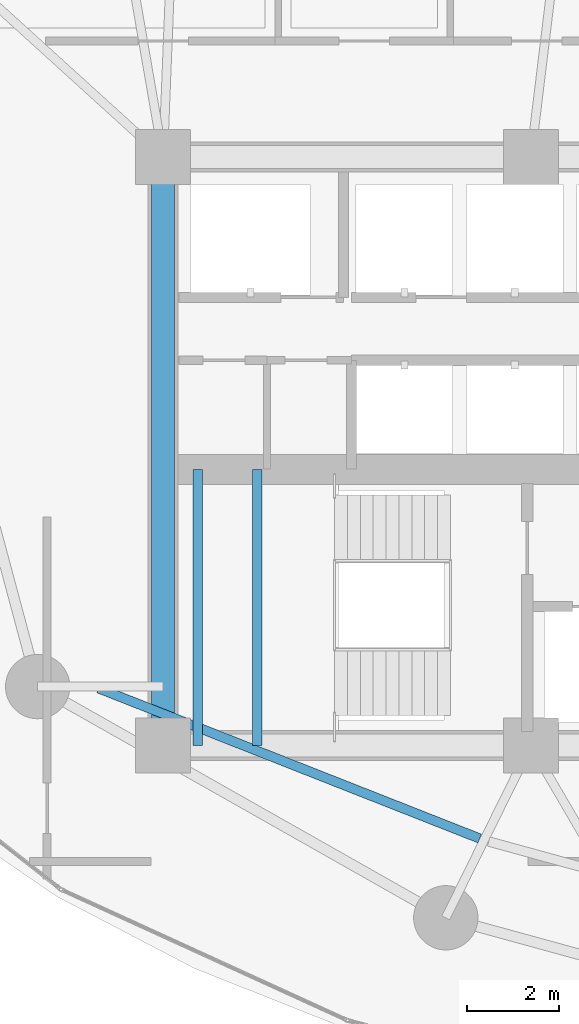
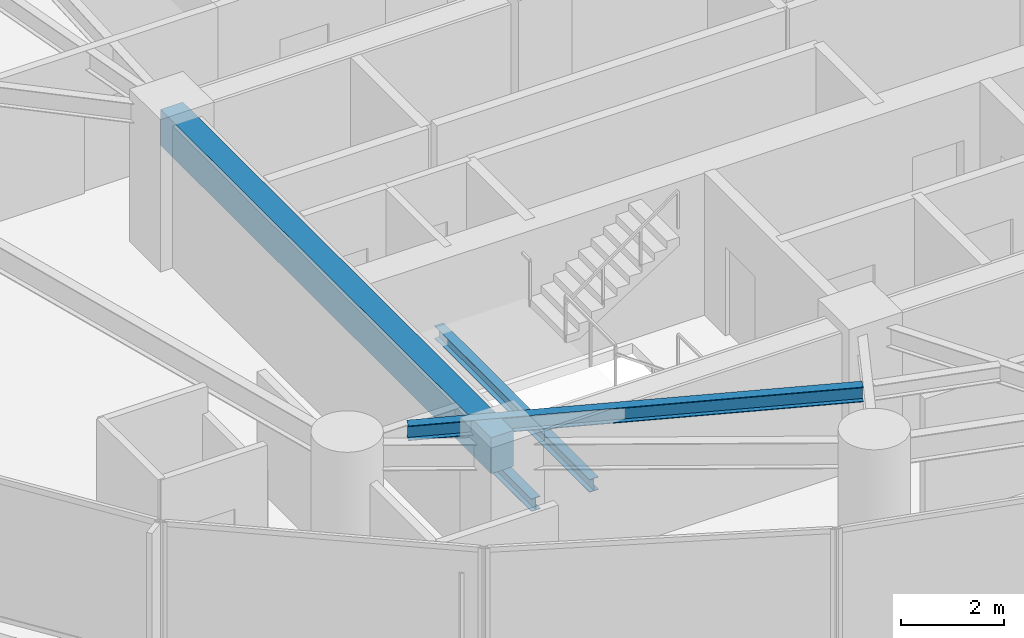
# One storey, part 4 of 32: 4 beams.
"""IFC4 building model written with IfcOpenShell, lengths in metres."""

from ifc_helpers import new_model, si_unit, direction, frame, origin, origin_2d, place, context, subcontext, project, spatial, rectangle, i_section, extrude, material, material_profile, profile_set, type_object, element, save


model = new_model("IFC4")

# Units and contexts
model_context = context("Model", 3, precision=1e-05, world=origin(), true_north=direction((0.0, 1.0)))
body_context = subcontext(model_context, "Body", "Model", "MODEL_VIEW")
ifc_project = project(units=[si_unit("LENGTHUNIT", "METRE"), si_unit("AREAUNIT", "SQUARE_METRE"), si_unit("VOLUMEUNIT", "CUBIC_METRE"), si_unit("PLANEANGLEUNIT", "RADIAN"), si_unit("MASSUNIT", "GRAM", prefix="KILO")], contexts=[model_context])

# Site, building, storey
site_placement = place(None, origin())
site = spatial("IfcSite", under=ifc_project, at=site_placement, CompositionType="ELEMENT")
building_placement = place(site_placement, origin())
building = spatial("IfcBuilding", under=site, at=building_placement, Name="Kazevale Care Tower and Concert Hall", CompositionType="ELEMENT")
storey_placement = place(building_placement, frame((0.0, 0.0, 38.39990234375)))
storey = spatial("IfcBuildingStorey", under=building, at=storey_placement, Name="L09", CompositionType="ELEMENT", Elevation=38.39990234375)

# Beams
ifc_material_1 = material(Name="Concrete C60", Category="concrete")
ifc_material_profile_1 = material_profile(ifc_material_1, rectangle(XDim=0.5, YDim=0.85009765625, at=origin_2d()), Name="RC-B500x850")
ifc_profile_set_1 = profile_set([ifc_material_profile_1], Name="Concrete C60")
beam_type_1 = type_object("IfcBeamType", Name="Core Coupling Beam RC500x850", PredefinedType="LINTEL", material=ifc_profile_set_1)
beam_1_placement = place(storey_placement, frame((22.0, 36.39990234375, 2.93505859375), z_axis=(0.0, -1.0, 0.0), x_axis=(1.0, 0.0, 0.0)))
element("IfcBeam", 1, at=beam_1_placement, inside=storey, type_object=beam_type_1, Name="beam:L09:coretie:8", PredefinedType="LINTEL", context=body_context, shape_type="SweptSolid", body=[
    extrude(rectangle(XDim=0.5, YDim=0.85009765625, at=origin_2d()), origin(), (0.0, 0.0, 1.0), 12.7998046875),
])
ifc_material_2 = material(Name="Steel ASTM A572 Gr 50", Category="steel")
ifc_material_profile_2 = material_profile(ifc_material_2, i_section(OverallWidth=0.205078125, OverallDepth=0.35400390625, WebThickness=0.009521484375, FlangeThickness=0.016845703125, at=origin_2d()), Name="W360x79")
ifc_profile_set_2 = profile_set([ifc_material_profile_2], Name="Steel ASTM A572 Gr 50")
beam_type_2 = type_object("IfcBeamType", Name="Secondary Floor Joist W360x79", PredefinedType="JOIST", material=ifc_profile_set_2)
beam_2_placement = place(storey_placement, frame((20.595947265625, 24.842041015625, 3.18310546875), z_axis=(0.930380638802, -0.366594963062, 0.0), x_axis=(0.366594963062, 0.930380638802, 0.0)))
element("IfcBeam", 2, at=beam_2_placement, inside=storey, type_object=beam_type_2, Name="beam:L09:joist:10", PredefinedType="JOIST", context=body_context, shape_type="SweptSolid", body=[
    extrude(i_section(OverallWidth=0.205078125, OverallDepth=0.35400390625, WebThickness=0.009521484375, FlangeThickness=0.016845703125, at=origin_2d()), origin(), (0.0, 0.0, 1.0), 8.909423828125),
])
ifc_material_profile_3 = material_profile(ifc_material_2, i_section(OverallWidth=0.202880859375, OverallDepth=0.302978515625, WebThickness=0.007568359375, FlangeThickness=0.01318359375, at=origin_2d()), Name="W310x60")
ifc_profile_set_3 = profile_set([ifc_material_profile_3], Name="Steel ASTM A572 Gr 50")
beam_type_3 = type_object("IfcBeamType", Name="Stair & Balcony Trimmer W310x60", PredefinedType="BEAM", material=ifc_profile_set_3)
for number, where, z_axis, x_axis, name in (
    (3, (22.75, 23.60009765625, 1.448486328125), (0.0, 1.0, 0.0), (-1.0, 0.0, 0.0), "beam:L09:sttrim:ST1"),
    (4, (24.050048828125, 23.60009765625, 1.448486328125), (0.0, 1.0, 0.0), (-1.0, 0.0, 0.0), "beam:L09:sttrim:ST1b"),
):
    element("IfcBeam", number, at=place(storey_placement, frame(where, z_axis=z_axis, x_axis=x_axis)), inside=storey, type_object=beam_type_3, Name=name, PredefinedType="BEAM", context=body_context, shape_type="SweptSolid", body=[
        extrude(i_section(OverallWidth=0.202880859375, OverallDepth=0.302978515625, WebThickness=0.007568359375, FlangeThickness=0.01318359375, at=origin_2d()), origin(), (0.0, 0.0, 1.0), 6.0),
    ])

save(model, "model.ifc")
